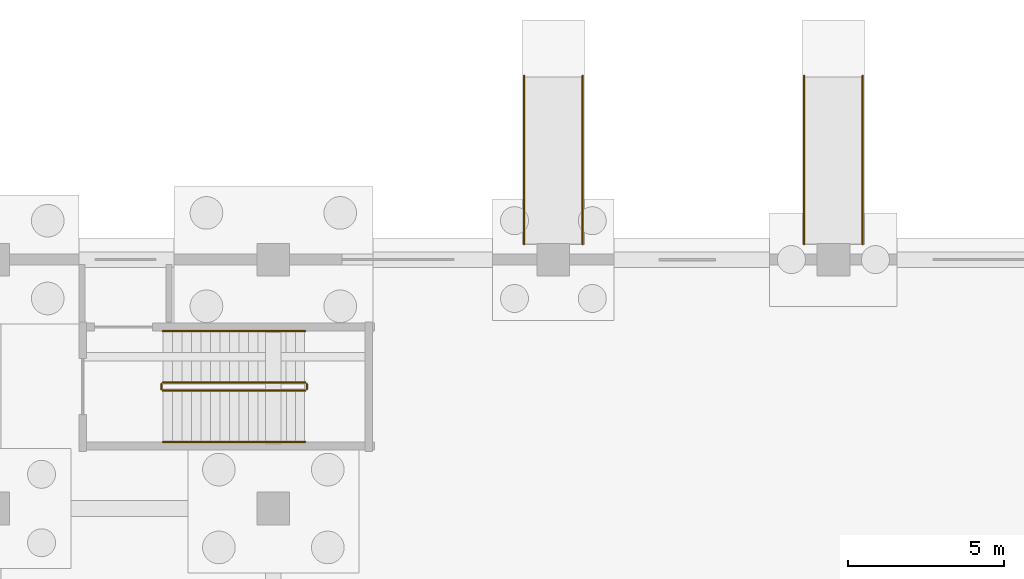
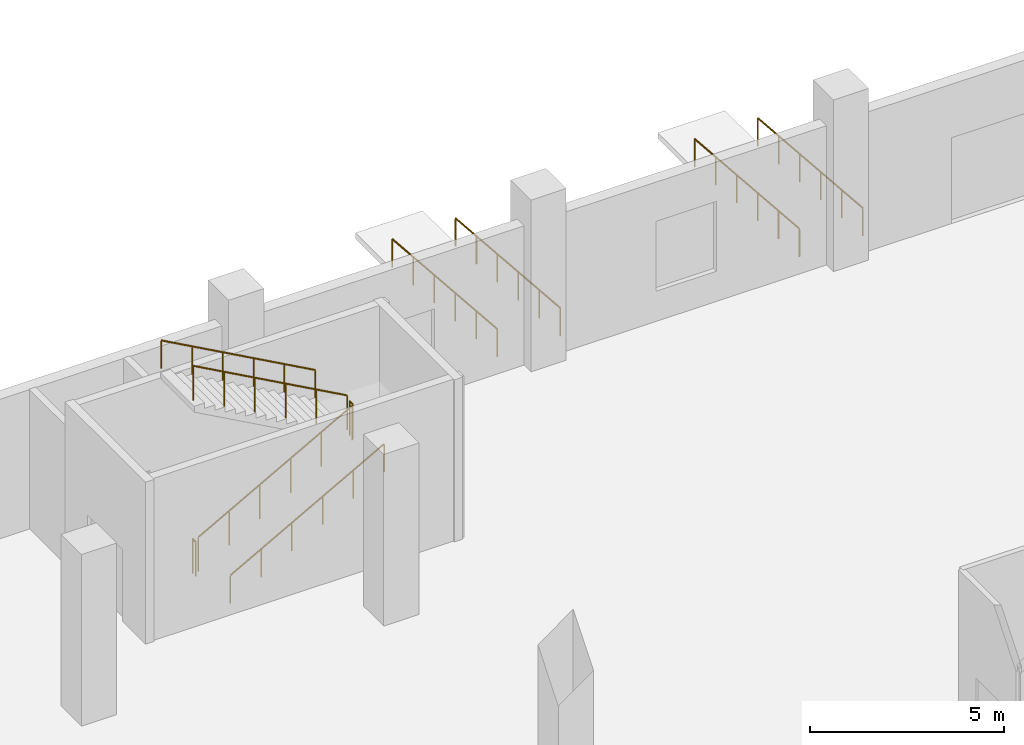
# One storey, part 100 of 103: 10 railings.
"""IFC4 building model written with IfcOpenShell, lengths in metres."""

from ifc_helpers import new_model, si_unit, direction, frame, origin, origin_2d, place, context, subcontext, project, spatial, circle, extrude, material, type_object, element, save


model = new_model("IFC4")

# Units and contexts
model_context = context("Model", 3, precision=1e-05, world=origin(), true_north=direction((0.0, 1.0)))
body_context = subcontext(model_context, "Body", "Model", "MODEL_VIEW")
ifc_project = project(units=[si_unit("LENGTHUNIT", "METRE"), si_unit("AREAUNIT", "SQUARE_METRE"), si_unit("VOLUMEUNIT", "CUBIC_METRE"), si_unit("PLANEANGLEUNIT", "RADIAN"), si_unit("MASSUNIT", "GRAM", prefix="KILO")], contexts=[model_context])

# Site, building, storey
site_placement = place(None, origin())
site = spatial("IfcSite", under=ifc_project, at=site_placement, CompositionType="ELEMENT")
building_placement = place(site_placement, origin())
building = spatial("IfcBuilding", under=site, at=building_placement, Name="Zevraka Park Crest Stadium", CompositionType="ELEMENT")
storey_placement = place(building_placement, origin())
storey = spatial("IfcBuildingStorey", under=building, at=storey_placement, Name="L00", CompositionType="ELEMENT", Elevation=0.0)

# Railings
ifc_material_1 = material(Name="Powder-coated tubular steel stairwell guard", Category="steel")
railing_type_1 = type_object("IfcRailingType", Name="GR03", PredefinedType="GUARDRAIL", material=ifc_material_1)
railing_1_placement = place(storey_placement, frame((166.449951171875, 179.7900390625, 0.168701171875)))
element("IfcRailing", 1, at=railing_1_placement, inside=storey, type_object=railing_type_1, Name="L00 ST46 stair guard 1", PredefinedType="GUARDRAIL", context=body_context, shape_type="SweptSolid", body=[
    extrude(circle(Radius=0.02392578125, at=origin_2d()), frame((0.0, 0.0, 1.076171875), z_axis=(0.874999533545, 0.0, 0.484123761342), x_axis=(0.0, 1.0, 0.0)), (0.0, 0.0, 1.0), 5.228515625),
    extrude(circle(Radius=0.02099609375, at=origin_2d()), origin(), (0.0, 0.0, 1.0), 1.052001953125),
    extrude(circle(Radius=0.02099609375, at=origin_2d()), frame((0.9150390625, 0.0, 0.50634765625)), (0.0, 0.0, 1.0), 1.052001953125),
    extrude(circle(Radius=0.02099609375, at=origin_2d()), frame((1.830078125, 0.0, 1.012451171875)), (0.0, 0.0, 1.0), 1.052001953125),
    extrude(circle(Radius=0.02099609375, at=origin_2d()), frame((2.744873046875, 0.0, 1.518798828125)), (0.0, 0.0, 1.0), 1.052001953125),
    extrude(circle(Radius=0.02099609375, at=origin_2d()), frame((3.659912109375, 0.0, 2.02490234375)), (0.0, 0.0, 1.0), 1.052001953125),
    extrude(circle(Radius=0.02099609375, at=origin_2d()), frame((4.574951171875, 0.0, 2.53125)), (0.0, 0.0, 1.0), 1.052001953125),
])
railing_2_placement = place(storey_placement, frame((171.074951171875, 179.840087890625, 2.699951171875)))
element("IfcRailing", 2, at=railing_2_placement, inside=storey, type_object=railing_type_1, Name="L00 ST46 stair guard 2", PredefinedType="GUARDRAIL", context=body_context, shape_type="SweptSolid", body=[
    extrude(circle(Radius=0.02392578125, at=origin_2d()), frame((0.0, 0.0, 1.076171875), z_axis=(0.0, 1.0, 0.0), x_axis=(-1.0, 0.0, 0.0)), (0.0, 0.0, 1.0), 0.159912109375),
    extrude(circle(Radius=0.02099609375, at=origin_2d()), origin(), (0.0, 0.0, 1.0), 1.052001953125),
    extrude(circle(Radius=0.02099609375, at=origin_2d()), frame((0.0, 0.159912109375, 0.0)), (0.0, 0.0, 1.0), 1.052001953125),
])
railing_3_placement = place(storey_placement, frame((171.02490234375, 180.050048828125, 2.86865234375)))
element("IfcRailing", 3, at=railing_3_placement, inside=storey, type_object=railing_type_1, Name="L00 ST46 stair guard 3", PredefinedType="GUARDRAIL", context=body_context, shape_type="SweptSolid", body=[
    extrude(circle(Radius=0.02392578125, at=origin_2d()), frame((0.0, 0.0, 1.076171875), z_axis=(-0.874999533545, 0.0, 0.484123761342), x_axis=(0.0, -1.0, 0.0)), (0.0, 0.0, 1.0), 5.228515625),
    extrude(circle(Radius=0.02099609375, at=origin_2d()), origin(), (0.0, 0.0, 1.0), 1.052001953125),
    extrude(circle(Radius=0.02099609375, at=origin_2d()), frame((-0.9150390625, 0.0, 0.50634765625)), (0.0, 0.0, 1.0), 1.052001953125),
    extrude(circle(Radius=0.02099609375, at=origin_2d()), frame((-1.830078125, 0.0, 1.012451171875)), (0.0, 0.0, 1.0), 1.052001953125),
    extrude(circle(Radius=0.02099609375, at=origin_2d()), frame((-2.744873046875, 0.0, 1.518798828125)), (0.0, 0.0, 1.0), 1.052001953125),
    extrude(circle(Radius=0.02099609375, at=origin_2d()), frame((-3.659912109375, 0.0, 2.02490234375)), (0.0, 0.0, 1.0), 1.052001953125),
    extrude(circle(Radius=0.02099609375, at=origin_2d()), frame((-4.574951171875, 0.0, 2.53125)), (0.0, 0.0, 1.0), 1.052001953125),
])
railing_4_placement = place(storey_placement, frame((166.39990234375, 179.840087890625, 0.0)))
element("IfcRailing", 4, at=railing_4_placement, inside=storey, type_object=railing_type_1, Name="L00 ST46 stair guard 4", PredefinedType="GUARDRAIL", context=body_context, shape_type="SweptSolid", body=[
    extrude(circle(Radius=0.02392578125, at=origin_2d()), frame((0.0, 0.0, 1.076171875), z_axis=(0.0, 1.0, 0.0), x_axis=(-1.0, 0.0, 0.0)), (0.0, 0.0, 1.0), 0.159912109375),
    extrude(circle(Radius=0.02099609375, at=origin_2d()), origin(), (0.0, 0.0, 1.0), 1.052001953125),
    extrude(circle(Radius=0.02099609375, at=origin_2d()), frame((0.0, 0.159912109375, 0.0)), (0.0, 0.0, 1.0), 1.052001953125),
])
ifc_material_2 = material(Name="Brushed stainless steel continuous handrail", Category="steel")
railing_type_2 = type_object("IfcRailingType", Name="HR01", PredefinedType="HANDRAIL", material=ifc_material_2)
railing_5_placement = place(storey_placement, frame((166.449951171875, 178.139892578125, 0.168701171875)))
element("IfcRailing", 5, at=railing_5_placement, inside=storey, type_object=railing_type_2, Name="L00 ST46 stair handrail 1", PredefinedType="HANDRAIL", context=body_context, shape_type="SweptSolid", body=[
    extrude(circle(Radius=0.02392578125, at=origin_2d()), frame((0.0, 0.0, 0.8759765625), z_axis=(0.874999533545, 0.0, 0.484123761342), x_axis=(0.0, 1.0, 0.0)), (0.0, 0.0, 1.0), 5.228515625),
    extrude(circle(Radius=0.02099609375, at=origin_2d()), origin(), (0.0, 0.0, 1.0), 0.851806640625),
    extrude(circle(Radius=0.02099609375, at=origin_2d()), frame((0.9150390625, 0.0, 0.50634765625)), (0.0, 0.0, 1.0), 0.851806640625),
    extrude(circle(Radius=0.02099609375, at=origin_2d()), frame((1.830078125, 0.0, 1.012451171875)), (0.0, 0.0, 1.0), 0.851806640625),
    extrude(circle(Radius=0.02099609375, at=origin_2d()), frame((2.744873046875, 0.0, 1.518798828125)), (0.0, 0.0, 1.0), 0.851806640625),
    extrude(circle(Radius=0.02099609375, at=origin_2d()), frame((3.659912109375, 0.0, 2.02490234375)), (0.0, 0.0, 1.0), 0.851806640625),
    extrude(circle(Radius=0.02099609375, at=origin_2d()), frame((4.574951171875, 0.0, 2.53125)), (0.0, 0.0, 1.0), 0.851806640625),
])
railing_6_placement = place(storey_placement, frame((171.02490234375, 181.699951171875, 2.86865234375)))
element("IfcRailing", 6, at=railing_6_placement, inside=storey, type_object=railing_type_2, Name="L00 ST46 stair handrail 2", PredefinedType="HANDRAIL", context=body_context, shape_type="SweptSolid", body=[
    extrude(circle(Radius=0.02392578125, at=origin_2d()), frame((0.0, 0.0, 0.8759765625), z_axis=(-0.874999533545, 0.0, 0.484123761342), x_axis=(0.0, -1.0, 0.0)), (0.0, 0.0, 1.0), 5.228515625),
    extrude(circle(Radius=0.02099609375, at=origin_2d()), origin(), (0.0, 0.0, 1.0), 0.851806640625),
    extrude(circle(Radius=0.02099609375, at=origin_2d()), frame((-0.9150390625, 0.0, 0.50634765625)), (0.0, 0.0, 1.0), 0.851806640625),
    extrude(circle(Radius=0.02099609375, at=origin_2d()), frame((-1.830078125, 0.0, 1.012451171875)), (0.0, 0.0, 1.0), 0.851806640625),
    extrude(circle(Radius=0.02099609375, at=origin_2d()), frame((-2.744873046875, 0.0, 1.518798828125)), (0.0, 0.0, 1.0), 0.851806640625),
    extrude(circle(Radius=0.02099609375, at=origin_2d()), frame((-3.659912109375, 0.0, 2.02490234375)), (0.0, 0.0, 1.0), 0.851806640625),
    extrude(circle(Radius=0.02099609375, at=origin_2d()), frame((-4.574951171875, 0.0, 2.53125)), (0.0, 0.0, 1.0), 0.851806640625),
])
for number, where, name in (
    (7, (178.06005859375, 189.89990234375, -0.449951171875), "Accessible Ramp Handrail RM03-1"),
    (8, (179.93994140625, 189.89990234375, -0.449951171875), "Accessible Ramp Handrail RM03-2"),
    (9, (187.06005859375, 189.89990234375, -0.449951171875), "Accessible Ramp Handrail RM04-1"),
    (10, (188.93994140625, 189.89990234375, -0.449951171875), "Accessible Ramp Handrail RM04-2"),
):
    element("IfcRailing", number, at=place(storey_placement, frame(where)), inside=storey, type_object=railing_type_2, Name=name, PredefinedType="HANDRAIL", context=body_context, shape_type="SweptSolid", body=[
        extrude(circle(Radius=0.02392578125, at=origin_2d()), frame((0.0, 0.0, 0.8759765625), z_axis=(0.0, -0.996546379678, 0.083038022323), x_axis=(1.0, 0.0, 0.0)), (0.0, 0.0, 1.0), 5.418701171875),
        extrude(circle(Radius=0.02099609375, at=origin_2d()), origin(), (0.0, 0.0, 1.0), 0.851806640625),
        extrude(circle(Radius=0.02099609375, at=origin_2d()), frame((0.0, -1.080078125, 0.090087890625)), (0.0, 0.0, 1.0), 0.851806640625),
        extrude(circle(Radius=0.02099609375, at=origin_2d()), frame((0.0, -2.159912109375, 0.179931640625)), (0.0, 0.0, 1.0), 0.851806640625),
        extrude(circle(Radius=0.02099609375, at=origin_2d()), frame((0.0, -3.239990234375, 0.27001953125)), (0.0, 0.0, 1.0), 0.851806640625),
        extrude(circle(Radius=0.02099609375, at=origin_2d()), frame((0.0, -4.31982421875, 0.35986328125)), (0.0, 0.0, 1.0), 0.851806640625),
        extrude(circle(Radius=0.02099609375, at=origin_2d()), frame((0.0, -5.39990234375, 0.449951171875)), (0.0, 0.0, 1.0), 0.851806640625),
    ])

save(model, "model.ifc")
